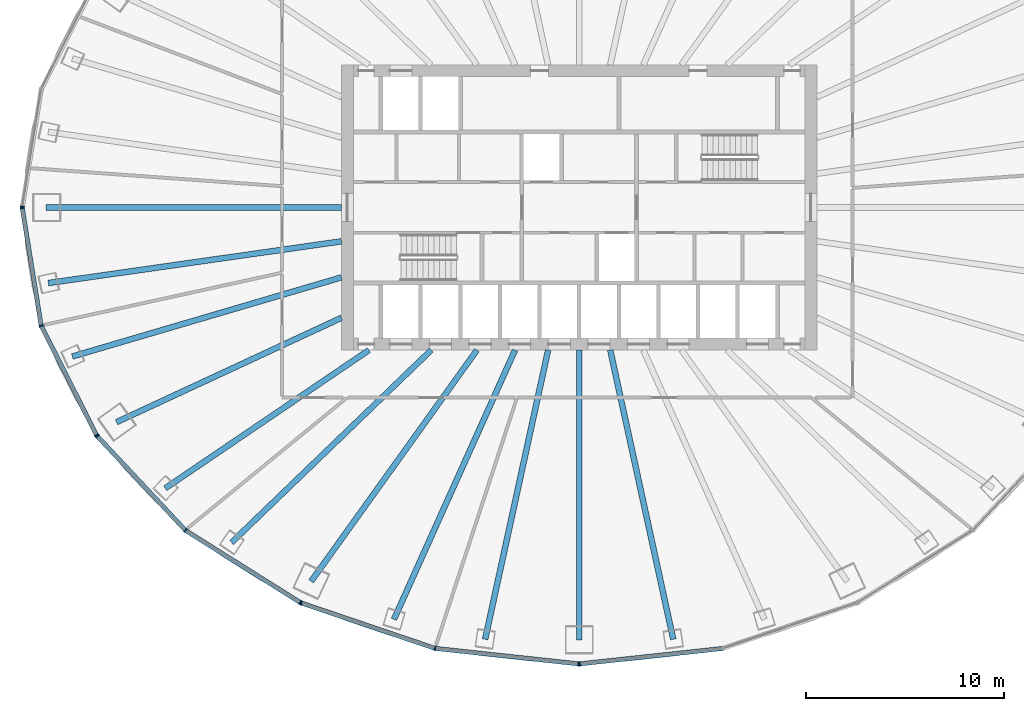
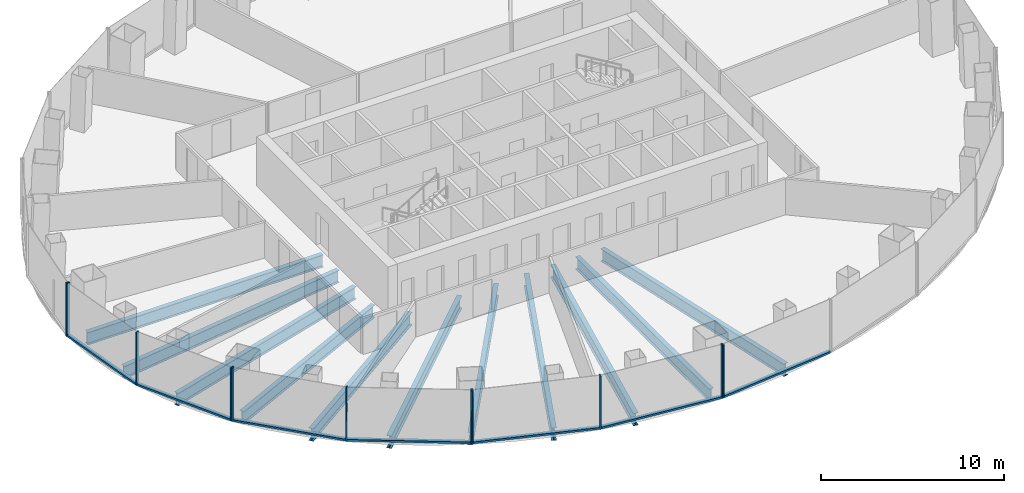
# One storey, part 2 of 11: 18 members, 11 beams, 5 elements without a shape of their own.
"""IFC4 building model written with IfcOpenShell, lengths in metres."""

from ifc_helpers import new_model, si_unit, direction, frame, origin, origin_2d, place, context, subcontext, project, spatial, rectangle, i_section, extrude, material, layer, layer_set, material_profile, profile_set, type_object, element, aggregate, save


model = new_model("IFC4")

# Units and contexts
model_context = context("Model", 3, precision=1e-05, world=origin(), true_north=direction((0.0, 1.0)))
body_context = subcontext(model_context, "Body", "Model", "MODEL_VIEW")
ifc_project = project(units=[si_unit("LENGTHUNIT", "METRE"), si_unit("AREAUNIT", "SQUARE_METRE"), si_unit("VOLUMEUNIT", "CUBIC_METRE"), si_unit("PLANEANGLEUNIT", "RADIAN"), si_unit("MASSUNIT", "GRAM", prefix="KILO")], contexts=[model_context])

# Site, building, storey
site_placement = place(None, origin())
site = spatial("IfcSite", under=ifc_project, at=site_placement, CompositionType="ELEMENT")
building_placement = place(site_placement, origin())
building = spatial("IfcBuilding", under=site, at=building_placement, Name="Siaravel Broadcast Tower", CompositionType="ELEMENT")
storey_placement = place(building_placement, frame((0.0, 0.0, 44.5)))
storey = spatial("IfcBuildingStorey", under=building, at=storey_placement, Name="L09", CompositionType="ELEMENT", Elevation=44.5)

# Beams
ifc_material_1 = material(Name="Steel S355", Category="steel")
ifc_material_profile_1 = material_profile(ifc_material_1, i_section(OverallWidth=0.291748046875, OverallDepth=0.8349609375, WebThickness=0.013916015625, FlangeThickness=0.018798828125, FilletRadius=0.017822265625, at=origin_2d()))
ifc_profile_set_1 = profile_set([ifc_material_profile_1], Name="Steel S355")
beam_type = type_object("IfcBeamType", Name="BM-UB 838x292x176", PredefinedType="BEAM", material=ifc_profile_set_1)
beam_1_placement = place(storey_placement, frame((-26.902099609375, 0.0, -0.5673828125), z_axis=(1.0, 0.0, 0.0), x_axis=(0.0, 1.0, 0.0)))
element("IfcBeam", 1, at=beam_1_placement, inside=storey, type_object=beam_type, Name="Radial beam RB19", PredefinedType="BEAM", context=body_context, shape_type="SweptSolid", body=[
    extrude(i_section(OverallWidth=0.291748046875, OverallDepth=0.8349609375, WebThickness=0.013916015625, FlangeThickness=0.018798828125, FilletRadius=0.017822265625, at=origin_2d()), origin(), (0.0, 0.0, 1.0), 14.902099609375),
])
beam_2_placement = place(storey_placement, frame((-26.794677734375, -3.814697265625, -0.5673828125), z_axis=(0.990017993, 0.140941026, 0.0), x_axis=(-0.140941026, 0.990017993, 0.0)))
element("IfcBeam", 2, at=beam_2_placement, inside=storey, type_object=beam_type, Name="Radial beam RB20", PredefinedType="BEAM", context=body_context, shape_type="SweptSolid", body=[
    extrude(i_section(OverallWidth=0.291748046875, OverallDepth=0.8349609375, WebThickness=0.013916015625, FlangeThickness=0.018798828125, FilletRadius=0.017822265625, at=origin_2d()), origin(), (0.0, 0.0, 1.0), 14.94384765625),
])
beam_3_placement = place(storey_placement, frame((-25.582275390625, -7.52001953125, -0.5673828125), z_axis=(0.959405859, 0.282029073, 0.0), x_axis=(-0.282029073, 0.959405859, 0.0)))
element("IfcBeam", 3, at=beam_3_placement, inside=storey, type_object=beam_type, Name="Radial beam RB21", PredefinedType="BEAM", context=body_context, shape_type="SweptSolid", body=[
    extrude(i_section(OverallWidth=0.291748046875, OverallDepth=0.8349609375, WebThickness=0.013916015625, FlangeThickness=0.018798828125, FilletRadius=0.017822265625, at=origin_2d()), origin(), (0.0, 0.0, 1.0), 14.156982421875),
])
beam_4_placement = place(storey_placement, frame((-23.351318359375, -10.834716796875, -0.5673828125), z_axis=(0.907113, 0.420887165, 0.0), x_axis=(-0.420887165, 0.907113, 0.0)))
element("IfcBeam", 4, at=beam_4_placement, inside=storey, type_object=beam_type, Name="Radial beam RB22", PredefinedType="BEAM", context=body_context, shape_type="SweptSolid", body=[
    extrude(i_section(OverallWidth=0.291748046875, OverallDepth=0.8349609375, WebThickness=0.013916015625, FlangeThickness=0.018798828125, FilletRadius=0.017822265625, at=origin_2d()), origin(), (0.0, 0.0, 1.0), 12.513671875),
])
beam_5_placement = place(storey_placement, frame((-20.89208984375, -14.171142578125, -0.5673828125), z_axis=(0.827577543, 0.561351415, 0.0), x_axis=(-0.561351415, 0.827577543, 0.0)))
element("IfcBeam", 5, at=beam_5_placement, inside=storey, type_object=beam_type, Name="Radial beam RB23", PredefinedType="BEAM", context=body_context, shape_type="SweptSolid", body=[
    extrude(i_section(OverallWidth=0.291748046875, OverallDepth=0.8349609375, WebThickness=0.013916015625, FlangeThickness=0.018798828125, FilletRadius=0.017822265625, at=origin_2d()), origin(), (0.0, 0.0, 1.0), 12.418701171875),
])
beam_6_placement = place(storey_placement, frame((-17.54638671875, -16.911376953125, -0.5673828125), z_axis=(0.720018614, 0.69395475, 0.0), x_axis=(-0.69395475, 0.720018614, 0.0)))
element("IfcBeam", 6, at=beam_6_placement, inside=storey, type_object=beam_type, Name="Radial beam RB24", PredefinedType="BEAM", context=body_context, shape_type="SweptSolid", body=[
    extrude(i_section(OverallWidth=0.291748046875, OverallDepth=0.8349609375, WebThickness=0.013916015625, FlangeThickness=0.018798828125, FilletRadius=0.017822265625, at=origin_2d()), origin(), (0.0, 0.0, 1.0), 13.994384765625),
])
beam_7_placement = place(storey_placement, frame((-13.53076171875, -18.869384765625, -0.5673828125), z_axis=(0.582740953, 0.812657974, 0.0), x_axis=(-0.812657974, 0.582740953, 0.0)))
element("IfcBeam", 7, at=beam_7_placement, inside=storey, type_object=beam_type, Name="Radial beam RB25", PredefinedType="BEAM", context=body_context, shape_type="SweptSolid", body=[
    extrude(i_section(OverallWidth=0.291748046875, OverallDepth=0.8349609375, WebThickness=0.013916015625, FlangeThickness=0.018798828125, FilletRadius=0.017822265625, at=origin_2d()), origin(), (0.0, 0.0, 1.0), 14.359619140625),
])
beam_8_placement = place(storey_placement, frame((-9.3486328125, -20.787109375, -0.5673828125), z_axis=(0.410162294, 0.912012551, 0.0), x_axis=(-0.912012551, 0.410162294, 0.0)))
element("IfcBeam", 8, at=beam_8_placement, inside=storey, type_object=beam_type, Name="Radial beam RB26", PredefinedType="BEAM", context=body_context, shape_type="SweptSolid", body=[
    extrude(i_section(OverallWidth=0.291748046875, OverallDepth=0.8349609375, WebThickness=0.013916015625, FlangeThickness=0.018798828125, FilletRadius=0.017822265625, at=origin_2d()), origin(), (0.0, 0.0, 1.0), 14.89794921875),
])
beam_9_placement = place(storey_placement, frame((-4.748291015625, -21.796630859375, -0.5673828125), z_axis=(0.212844855, 0.977086008, 0.0), x_axis=(-0.977086008, 0.212844855, 0.0)))
element("IfcBeam", 9, at=beam_9_placement, inside=storey, type_object=beam_type, Name="Radial beam RB27", PredefinedType="BEAM", context=body_context, shape_type="SweptSolid", body=[
    extrude(i_section(OverallWidth=0.291748046875, OverallDepth=0.8349609375, WebThickness=0.013916015625, FlangeThickness=0.018798828125, FilletRadius=0.017822265625, at=origin_2d()), origin(), (0.0, 0.0, 1.0), 14.93896484375),
])
beam_10_placement = place(storey_placement, frame((0.0, -21.8369140625, -0.5673828125), z_axis=(0.0, 1.0, 0.0), x_axis=(-1.0, 0.0, 0.0)))
element("IfcBeam", 10, at=beam_10_placement, inside=storey, type_object=beam_type, Name="Radial beam RB28", PredefinedType="BEAM", context=body_context, shape_type="SweptSolid", body=[
    extrude(i_section(OverallWidth=0.291748046875, OverallDepth=0.8349609375, WebThickness=0.013916015625, FlangeThickness=0.018798828125, FilletRadius=0.017822265625, at=origin_2d()), origin(), (0.0, 0.0, 1.0), 14.636962890625),
])
beam_11_placement = place(storey_placement, frame((4.748291015625, -21.796630859375, -0.5673828125), z_axis=(-0.212844855, 0.977086008, 0.0), x_axis=(-0.977086008, -0.212844855, 0.0)))
element("IfcBeam", 11, at=beam_11_placement, inside=storey, type_object=beam_type, Name="Radial beam RB29", PredefinedType="BEAM", context=body_context, shape_type="SweptSolid", body=[
    extrude(i_section(OverallWidth=0.291748046875, OverallDepth=0.8349609375, WebThickness=0.013916015625, FlangeThickness=0.018798828125, FilletRadius=0.017822265625, at=origin_2d()), origin(), (0.0, 0.0, 1.0), 14.93896484375),
])

# Curtain wall, member
ifc_material_2 = material(Name="Aluminium 6063-T6", Category="aluminium")
ifc_layer = layer(ifc_material_2, 0.219970703125)
ifc_layer_set = layer_set([ifc_layer], Name="Aluminium 6063-T6")
curtain_wall_type = type_object("IfcCurtainWallType", Name="Unitised curtain wall, zone 1", PredefinedType="NOTDEFINED", material=ifc_layer_set)
curtain_wall_1_placement = place(storey_placement, origin())
curtain_wall_1 = element("IfcCurtainWall", 12, at=curtain_wall_1_placement, inside=storey, type_object=curtain_wall_type, Name="L09 Unitised curtain wall, zone 1 06", PredefinedType="NOTDEFINED")
ifc_material_profile_2 = material_profile(ifc_material_2, rectangle(XDim=0.219970703125, YDim=0.070068359375, at=origin_2d()))
ifc_profile_set_2 = profile_set([ifc_material_profile_2], Name="Aluminium 6063-T6")
member_type_1 = type_object("IfcMemberType", Name="CW-Z1 mullion", PredefinedType="MULLION", material=ifc_profile_set_2)
member_1_placement = place(storey_placement, frame((-28.110595703125, 0.03466796875, 0.0), z_axis=(0.0, 0.0, 1.0), x_axis=(0.987329133, -0.158685802, 0.0)))
member_1 = element("IfcMember", 13, at=member_1_placement, type_object=member_type_1, Name="CW-Z1 mullion 3", PredefinedType="MULLION", context=body_context, shape_type="SweptSolid", body=[
    extrude(rectangle(XDim=0.219970703125, YDim=0.070068359375, at=origin_2d()), origin(), (0.0, 0.0, 1.0), 3.550048828125),
])
aggregate(curtain_wall_1, [member_1])

# Curtain wall, members
curtain_wall_2_placement = place(storey_placement, origin())
curtain_wall_2 = element("IfcCurtainWall", 14, at=curtain_wall_2_placement, inside=storey, type_object=curtain_wall_type, Name="L09 Unitised curtain wall, zone 1 07", PredefinedType="NOTDEFINED")
member_2_placement = place(storey_placement, frame((-28.110595703125, -0.03466796875, 0.0), z_axis=(0.0, 0.0, 1.0), x_axis=(0.987329133, 0.158685802, 0.0)))
member_2 = element("IfcMember", 15, at=member_2_placement, type_object=member_type_1, Name="CW-Z1 mullion 1", PredefinedType="MULLION", context=body_context, shape_type="SweptSolid", body=[
    extrude(rectangle(XDim=0.219970703125, YDim=0.070068359375, at=origin_2d()), origin(), (0.0, 0.0, 1.0), 3.550048828125),
])
member_3_placement = place(storey_placement, frame((-27.1572265625, -5.965576171875, 0.0), z_axis=(0.0, 0.0, 1.0), x_axis=(0.951177076, 0.308645704, 0.0)))
member_3 = element("IfcMember", 16, at=member_3_placement, type_object=member_type_1, Name="CW-Z1 mullion 2", PredefinedType="MULLION", context=body_context, shape_type="SweptSolid", body=[
    extrude(rectangle(XDim=0.219970703125, YDim=0.070068359375, at=origin_2d()), origin(), (0.0, 0.0, 1.0), 3.550048828125),
])
member_4_placement = place(storey_placement, frame((-24.362548828125, -11.4921875, 0.0), z_axis=(0.0, 0.0, 1.0), x_axis=(0.892391814, 0.451261399, 0.0)))
member_4 = element("IfcMember", 17, at=member_4_placement, type_object=member_type_1, Name="CW-Z1 mullion 3", PredefinedType="MULLION", context=body_context, shape_type="SweptSolid", body=[
    extrude(rectangle(XDim=0.219970703125, YDim=0.070068359375, at=origin_2d()), origin(), (0.0, 0.0, 1.0), 3.550048828125),
])

curtain_wall_3_placement = place(storey_placement, origin())
curtain_wall_3 = element("IfcCurtainWall", 18, at=curtain_wall_3_placement, inside=storey, type_object=curtain_wall_type, Name="L09 Unitised curtain wall, zone 1 08", PredefinedType="NOTDEFINED")
member_5_placement = place(storey_placement, frame((-24.322998046875, -11.549072265625, 0.0), z_axis=(0.0, 0.0, 1.0), x_axis=(0.729804946, 0.683655426, 0.0)))
member_5 = element("IfcMember", 19, at=member_5_placement, type_object=member_type_1, Name="CW-Z1 mullion 1", PredefinedType="MULLION", context=body_context, shape_type="SweptSolid", body=[
    extrude(rectangle(XDim=0.219970703125, YDim=0.070068359375, at=origin_2d()), origin(), (0.0, 0.0, 1.0), 3.550048828125),
])
member_6_placement = place(storey_placement, frame((-19.87744140625, -16.294677734375, 0.0), z_axis=(0.0, 0.0, 1.0), x_axis=(0.63621841, 0.771508998, 0.0)))
member_6 = element("IfcMember", 20, at=member_6_placement, type_object=member_type_1, Name="CW-Z1 mullion 2", PredefinedType="MULLION", context=body_context, shape_type="SweptSolid", body=[
    extrude(rectangle(XDim=0.219970703125, YDim=0.070068359375, at=origin_2d()), origin(), (0.0, 0.0, 1.0), 3.550048828125),
])
member_7_placement = place(storey_placement, frame((-14.083984375, -19.935791015625, 0.0), z_axis=(0.0, 0.0, 1.0), x_axis=(0.532149101, 0.846650657, 0.0)))
member_7 = element("IfcMember", 21, at=member_7_placement, type_object=member_type_1, Name="CW-Z1 mullion 3", PredefinedType="MULLION", context=body_context, shape_type="SweptSolid", body=[
    extrude(rectangle(XDim=0.219970703125, YDim=0.070068359375, at=origin_2d()), origin(), (0.0, 0.0, 1.0), 3.550048828125),
])

curtain_wall_4_placement = place(storey_placement, origin())
curtain_wall_4 = element("IfcCurtainWall", 22, at=curtain_wall_4_placement, inside=storey, type_object=curtain_wall_type, Name="L09 Unitised curtain wall, zone 1 09", PredefinedType="NOTDEFINED")
member_8_placement = place(storey_placement, frame((-14.021240234375, -19.9658203125, 0.0), z_axis=(0.0, 0.0, 1.0), x_axis=(0.321300632, 0.946977246, 0.0)))
member_8 = element("IfcMember", 23, at=member_8_placement, type_object=member_type_1, Name="CW-Z1 mullion 1", PredefinedType="MULLION", context=body_context, shape_type="SweptSolid", body=[
    extrude(rectangle(XDim=0.219970703125, YDim=0.070068359375, at=origin_2d()), origin(), (0.0, 0.0, 1.0), 3.550048828125),
])
member_9_placement = place(storey_placement, frame((-7.27490234375, -22.2548828125, 0.0), z_axis=(0.0, 0.0, 1.0), x_axis=(0.215558083, 0.97649102, 0.0)))
member_9 = element("IfcMember", 24, at=member_9_placement, type_object=member_type_1, Name="CW-Z1 mullion 2", PredefinedType="MULLION", context=body_context, shape_type="SweptSolid", body=[
    extrude(rectangle(XDim=0.219970703125, YDim=0.070068359375, at=origin_2d()), origin(), (0.0, 0.0, 1.0), 3.550048828125),
])
member_10_placement = place(storey_placement, frame((-0.034912109375, -23.035400390625, 0.0), z_axis=(0.0, 0.0, 1.0), x_axis=(0.107217509, 0.994235589, 0.0)))
member_10 = element("IfcMember", 25, at=member_10_placement, type_object=member_type_1, Name="CW-Z1 mullion 3", PredefinedType="MULLION", context=body_context, shape_type="SweptSolid", body=[
    extrude(rectangle(XDim=0.219970703125, YDim=0.070068359375, at=origin_2d()), origin(), (0.0, 0.0, 1.0), 3.550048828125),
])

# Curtain wall, member
curtain_wall_5_placement = place(storey_placement, origin())
curtain_wall_5 = element("IfcCurtainWall", 26, at=curtain_wall_5_placement, inside=storey, type_object=curtain_wall_type, Name="L09 Unitised curtain wall, zone 1 10", PredefinedType="NOTDEFINED")
member_11_placement = place(storey_placement, frame((0.034912109375, -23.035400390625, 0.0), z_axis=(0.0, 0.0, 1.0), x_axis=(-0.107217509, 0.994235589, 0.0)))
member_11 = element("IfcMember", 27, at=member_11_placement, type_object=member_type_1, Name="CW-Z1 mullion 1", PredefinedType="MULLION", context=body_context, shape_type="SweptSolid", body=[
    extrude(rectangle(XDim=0.219970703125, YDim=0.070068359375, at=origin_2d()), origin(), (0.0, 0.0, 1.0), 3.550048828125),
])

# Member
ifc_material_profile_3 = material_profile(ifc_material_2, rectangle(XDim=0.219970703125, YDim=0.1201171875, at=origin_2d()))
ifc_profile_set_3 = profile_set([ifc_material_profile_3], Name="Aluminium 6063-T6")
member_type_2 = type_object("IfcMemberType", Name="CW-Z1 transom", PredefinedType="USERDEFINED", material=ifc_profile_set_3)
member_12_placement = place(storey_placement, frame((-28.10498046875, -0.069091796875, 0.06005859375), z_axis=(0.158681674, -0.987329796, 0.0), x_axis=(0.987329796, 0.158681674, 0.0)))
member_12 = element("IfcMember", 28, at=member_12_placement, type_object=member_type_2, Name="CW-Z1 transom 1", ObjectType="TRANSOM", PredefinedType="USERDEFINED", context=body_context, shape_type="SweptSolid", body=[
    extrude(rectangle(XDim=0.219970703125, YDim=0.1201171875, at=origin_2d()), origin(), (0.0, 0.0, 1.0), 5.937255859375),
])

member_13_placement = place(storey_placement, frame((-27.1416015625, -5.996826171875, 0.06005859375), z_axis=(0.451275958, -0.892384452, 0.0), x_axis=(0.892384452, 0.451275958, 0.0)))
member_13 = element("IfcMember", 29, at=member_13_placement, type_object=member_type_2, Name="CW-Z1 transom 2", ObjectType="TRANSOM", PredefinedType="USERDEFINED", context=body_context, shape_type="SweptSolid", body=[
    extrude(rectangle(XDim=0.219970703125, YDim=0.1201171875, at=origin_2d()), origin(), (0.0, 0.0, 1.0), 6.123046875),
])

aggregate(curtain_wall_2, [member_2, member_3, member_4, member_12, member_13])

member_14_placement = place(storey_placement, frame((-24.299072265625, -11.574462890625, 0.06005859375), z_axis=(0.683654492, -0.72980582, 0.0), x_axis=(0.72980582, 0.683654492, 0.0)))
member_14 = element("IfcMember", 30, at=member_14_placement, type_object=member_type_2, Name="CW-Z1 transom 1", ObjectType="TRANSOM", PredefinedType="USERDEFINED", context=body_context, shape_type="SweptSolid", body=[
    extrude(rectangle(XDim=0.219970703125, YDim=0.1201171875, at=origin_2d()), origin(), (0.0, 0.0, 1.0), 6.4326171875),
])

member_15_placement = place(storey_placement, frame((-19.847900390625, -16.313232421875, 0.06005859375), z_axis=(0.846656967, -0.532139062, 0.0), x_axis=(0.532139062, 0.846656967, 0.0)))
member_15 = element("IfcMember", 31, at=member_15_placement, type_object=member_type_2, Name="CW-Z1 transom 2", ObjectType="TRANSOM", PredefinedType="USERDEFINED", context=body_context, shape_type="SweptSolid", body=[
    extrude(rectangle(XDim=0.219970703125, YDim=0.1201171875, at=origin_2d()), origin(), (0.0, 0.0, 1.0), 6.772705078125),
])

aggregate(curtain_wall_3, [member_5, member_6, member_7, member_14, member_15])

member_16_placement = place(storey_placement, frame((-13.988037109375, -19.97705078125, 0.06005859375), z_axis=(0.946973811, -0.321310754, 0.0), x_axis=(0.321310754, 0.946973811, 0.0)))
member_16 = element("IfcMember", 32, at=member_16_placement, type_object=member_type_2, Name="CW-Z1 transom 1", ObjectType="TRANSOM", PredefinedType="USERDEFINED", context=body_context, shape_type="SweptSolid", body=[
    extrude(rectangle(XDim=0.219970703125, YDim=0.1201171875, at=origin_2d()), origin(), (0.0, 0.0, 1.0), 7.05419921875),
])

member_17_placement = place(storey_placement, frame((-7.239990234375, -22.258544921875, 0.06005859375), z_axis=(0.994236438, -0.107209629, 0.0), x_axis=(0.107209629, 0.994236438, 0.0)))
member_17 = element("IfcMember", 33, at=member_17_placement, type_object=member_type_2, Name="CW-Z1 transom 2", ObjectType="TRANSOM", PredefinedType="USERDEFINED", context=body_context, shape_type="SweptSolid", body=[
    extrude(rectangle(XDim=0.219970703125, YDim=0.1201171875, at=origin_2d()), origin(), (0.0, 0.0, 1.0), 7.2119140625),
])

aggregate(curtain_wall_4, [member_8, member_9, member_10, member_16, member_17])

member_18_placement = place(storey_placement, frame((0.069580078125, -23.03173828125, 0.06005859375), z_axis=(0.994236438, 0.107209629, 0.0), x_axis=(-0.107209629, 0.994236438, 0.0)))
member_18 = element("IfcMember", 34, at=member_18_placement, type_object=member_type_2, Name="CW-Z1 transom 1", ObjectType="TRANSOM", PredefinedType="USERDEFINED", context=body_context, shape_type="SweptSolid", body=[
    extrude(rectangle(XDim=0.219970703125, YDim=0.1201171875, at=origin_2d()), origin(), (0.0, 0.0, 1.0), 7.2119140625),
])

aggregate(curtain_wall_5, [member_11, member_18])

save(model, "model.ifc")
